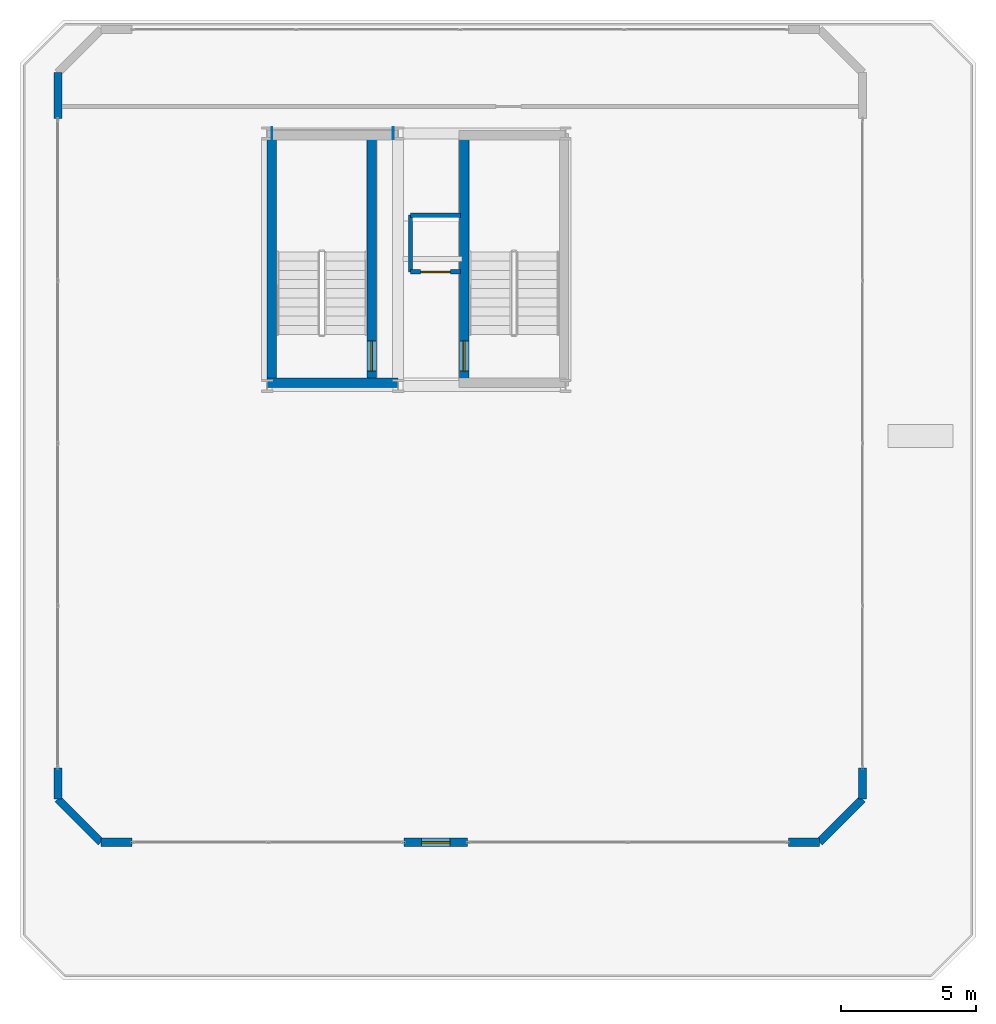
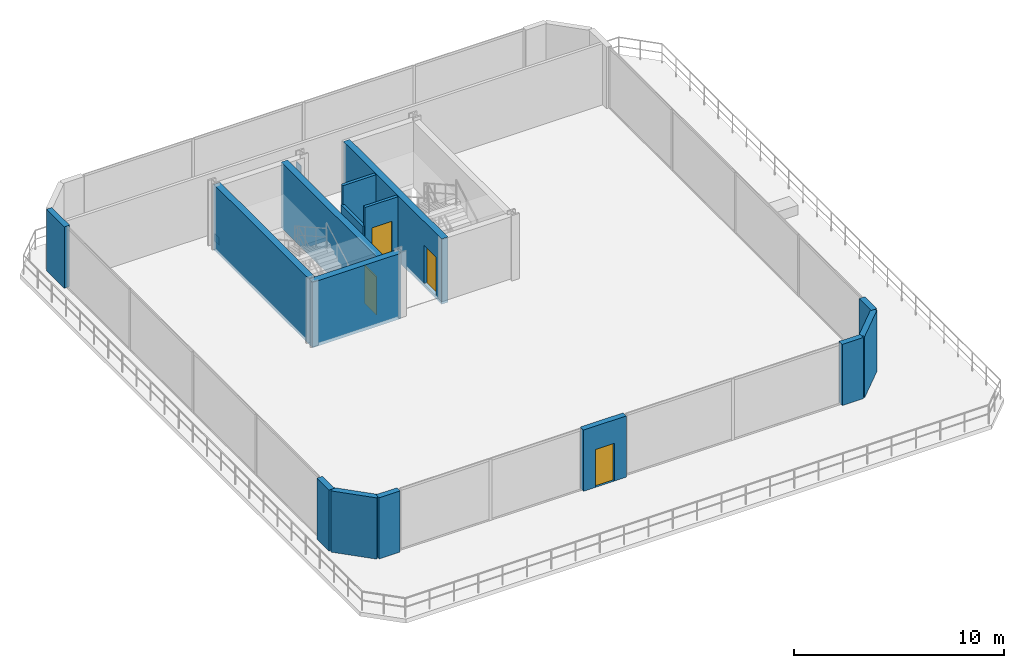
# One storey, part 16 of 19: 15 walls, 4 doors, 2 plates, 4 openings.
"""IFC4 building model written with IfcOpenShell, lengths in metres."""

from ifc_helpers import new_model, si_unit, direction, frame, frame_2d, origin, origin_2d, place, context, subcontext, project, spatial, rectangle, extrude, material, layer, layer_set, type_object, element, fill, save


model = new_model("IFC4")

# Units and contexts
model_context = context("Model", 3, precision=1e-05, world=origin(), true_north=direction((0.0, 1.0)))
body_context = subcontext(model_context, "Body", "Model", "MODEL_VIEW")
ifc_project = project(units=[si_unit("LENGTHUNIT", "METRE"), si_unit("AREAUNIT", "SQUARE_METRE"), si_unit("VOLUMEUNIT", "CUBIC_METRE"), si_unit("PLANEANGLEUNIT", "RADIAN"), si_unit("MASSUNIT", "GRAM", prefix="KILO")], contexts=[model_context])

# Site, building, storey
site_placement = place(None, origin())
site = spatial("IfcSite", under=ifc_project, at=site_placement, CompositionType="ELEMENT")
building_placement = place(site_placement, origin())
building = spatial("IfcBuilding", under=site, at=building_placement, Name="Zuhayl Quay Hotel", CompositionType="ELEMENT")
storey_placement = place(building_placement, frame((0.0, 0.0, 304.85009765625)))
storey = spatial("IfcBuildingStorey", under=building, at=storey_placement, Name="Crown 3", CompositionType="ELEMENT", Elevation=304.85009765625)

# Plates
ifc_material_1 = material(Name="Steel ASTM A572 Grade 50", Category="steel")
ifc_layer_1 = layer(ifc_material_1, 0.030029296875, Name="Steel ASTM A572 Grade 50", Category="steel")
ifc_layer_set_1 = layer_set([ifc_layer_1], Name="Steel ASTM A572 Grade 50")
plate_type = type_object("IfcPlateType", Name="TP_CAP_PLATE_30", PredefinedType="USERDEFINED", material=ifc_layer_set_1)
for number, where, z_axis, x_axis, name in (
    (1, (-9.2705078125, 34.449951171875, 0.1240234375), (0.0, 0.0, 1.0), (-1.0, 0.0, 0.0), "Truss Node Cap Assembly KN2"),
    (2, (-4.779541015625, 34.449951171875, 2.73583984375), (0.0, 0.0, 1.0), (1.0, 0.0, 0.0), "Truss Node Cap Assembly KN2"),
):
    element("IfcPlate", number, at=place(storey_placement, frame(where, z_axis=z_axis, x_axis=x_axis)), inside=storey, type_object=plate_type, Name=name, ObjectType="GUSSET PLATE", PredefinedType="USERDEFINED", context=body_context, shape_type="SweptSolid", body=[
        extrude(rectangle(XDim=0.030029296875, YDim=0.43994140625, at=origin_2d()), origin(), (0.0, 0.0, 1.0), 0.43994140625),
    ])

# Walls
ifc_material_2 = material(Name="Precast concrete C45/55", Category="concrete")
ifc_layer_2 = layer(ifc_material_2, 0.300048828125, Name="Precast concrete C45/55", Category="concrete")
ifc_layer_set_2 = layer_set([ifc_layer_2], Name="Precast concrete C45/55")
wall_type_1 = type_object("IfcWallType", Name="WL_EXT_300", PredefinedType="STANDARD", material=ifc_layer_set_2)
wall_1_placement = place(storey_placement, frame((-17.199951171875, 9.800048828125, 0.0), z_axis=(0.0, 0.0, 1.0), x_axis=(0.0, 1.0, 0.0)))
element("IfcWall", 3, at=wall_1_placement, inside=storey, type_object=wall_type_1, Name="Crown 3 Exterior Precast Wall ENV_CR3_E1_EW1", PredefinedType="STANDARD", context=body_context, shape_type="SweptSolid", body=[
    extrude(rectangle(XDim=1.14990234375, YDim=0.300048828125, at=frame_2d((0.574951171875, 0.0))), origin(), (0.0, 0.0, 1.0), 3.559814453125),
])
wall_2_placement = place(storey_placement, frame((-17.199951171875, 35.0, 0.0), z_axis=(0.0, 0.0, 1.0), x_axis=(0.0, 1.0, 0.0)))
element("IfcWall", 4, at=wall_2_placement, inside=storey, type_object=wall_type_1, Name="Crown 3 Exterior Precast Wall ENV_CR3_E1_EW2", PredefinedType="STANDARD", context=body_context, shape_type="SweptSolid", body=[
    extrude(rectangle(XDim=1.699951171875, YDim=0.300048828125, at=frame_2d((0.85009765625, 0.0))), origin(), (0.0, 0.0, 1.0), 3.559814453125),
])
wall_3_placement = place(storey_placement, frame((12.60009765625, 10.949951171875, 0.0), z_axis=(0.0, 0.0, 1.0), x_axis=(0.0, -1.0, 0.0)))
element("IfcWall", 5, at=wall_3_placement, inside=storey, type_object=wall_type_1, Name="Crown 3 Exterior Precast Wall ENV_CR3_E5_EW2", PredefinedType="STANDARD", context=body_context, shape_type="SweptSolid", body=[
    extrude(rectangle(XDim=1.14990234375, YDim=0.300048828125, at=frame_2d((0.574951171875, 0.0))), origin(), (0.0, 0.0, 1.0), 3.559814453125),
])
wall_4_placement = place(storey_placement, frame((12.60009765625, 9.800048828125, 0.0), z_axis=(0.0, 0.0, 1.0), x_axis=(-0.707106781187, -0.707106781187, 0.0)))
element("IfcWall", 6, at=wall_4_placement, inside=storey, type_object=wall_type_1, Name="Crown 3 Exterior Precast Wall ENV_CR3_EW6", PredefinedType="STANDARD", context=body_context, shape_type="SweptSolid", body=[
    extrude(rectangle(XDim=2.262939453125, YDim=0.300048828125, at=frame_2d((1.13134765625, 0.0))), origin(), (0.0, 0.0, 1.0), 3.559814453125),
])
wall_5_placement = place(storey_placement, frame((11.0, 8.199951171875, 0.0), z_axis=(0.0, 0.0, 1.0), x_axis=(-1.0, 0.0, 0.0)))
element("IfcWall", 7, at=wall_5_placement, inside=storey, type_object=wall_type_1, Name="Crown 3 Exterior Precast Wall ENV_CR3_E7_EW1", PredefinedType="STANDARD", context=body_context, shape_type="SweptSolid", body=[
    extrude(rectangle(XDim=1.14990234375, YDim=0.300048828125, at=frame_2d((0.574951171875, 0.0))), origin(), (0.0, 0.0, 1.0), 3.559814453125),
])

# Wall, opening, door
wall_6_placement = place(storey_placement, frame((-2.02490234375, 8.199951171875, 0.0), z_axis=(0.0, 0.0, 1.0), x_axis=(-1.0, 0.0, 0.0)))
wall_6 = element("IfcWall", 8, at=wall_6_placement, inside=storey, type_object=wall_type_1, Name="Crown 3 Exterior Precast Wall ENV_CR3_E7_EW2", PredefinedType="STANDARD", context=body_context, shape_type="SweptSolid", body=[
    extrude(rectangle(XDim=2.35009765625, YDim=0.300048828125, at=frame_2d((1.175048828125, 0.0))), origin(), (0.0, 0.0, 1.0), 3.559814453125),
])
opening_1_placement = place(wall_6_placement, frame((0.64990234375, 0.0, 0.0)))
opening_1 = element("IfcOpeningElement", 9, at=opening_1_placement, cuts=wall_6, Name="Opening DG1", PredefinedType="OPENING", context=body_context, shape_type="SweptSolid", body=[
    extrude(rectangle(XDim=1.050048828125, YDim=2.199951171875, at=frame_2d((0.52490234375, 1.10009765625))), frame((0.0, 0.159912109375, 0.0), z_axis=(0.0, -1.0, 0.0), x_axis=(1.0, 0.0, 0.0)), (0.0, 0.0, 1.0), 0.320068359375),
])
ifc_material_3 = material(Name="Anodised Aluminium and Dark Solar Glass", Category="aluminium")
door_type_1 = type_object("IfcDoorType", Name="DR_EXT_TERR_1050", OperationType="NOTDEFINED", PredefinedType="DOOR", material=ifc_material_3)
door_1_placement = place(opening_1_placement, origin())
door_1 = element("IfcDoor", 10, at=door_1_placement, inside=storey, type_object=door_type_1, Name="Crown 3 Stepped Crown Terrace Access Door", OperationType="SINGLE_SWING_RIGHT", OverallHeight=2.199951171875, OverallWidth=1.050048828125, PredefinedType="DOOR", context=body_context, shape_type="SweptSolid", body=[
    extrude(rectangle(XDim=1.050048828125, YDim=2.199951171875, at=frame_2d((0.52490234375, 1.10009765625))), frame((0.0, 0.02490234375, 0.0), z_axis=(0.0, -1.0, 0.0), x_axis=(1.0, 0.0, 0.0)), (0.0, 0.0, 1.0), 0.050048828125),
])
fill(opening_1, door_1)

# Walls
wall_7_placement = place(storey_placement, frame((-14.449951171875, 8.199951171875, 0.0), z_axis=(0.0, 0.0, 1.0), x_axis=(-1.0, 0.0, 0.0)))
element("IfcWall", 11, at=wall_7_placement, inside=storey, type_object=wall_type_1, Name="Crown 3 Exterior Precast Wall ENV_CR3_E7_EW3", PredefinedType="STANDARD", context=body_context, shape_type="SweptSolid", body=[
    extrude(rectangle(XDim=1.150146484375, YDim=0.300048828125, at=frame_2d((0.5751953125, 0.0))), origin(), (0.0, 0.0, 1.0), 3.559814453125),
])
wall_8_placement = place(storey_placement, frame((-15.60009765625, 8.199951171875, 0.0), z_axis=(0.0, 0.0, 1.0), x_axis=(-0.707052830339, 0.707160727918, 0.0)))
element("IfcWall", 12, at=wall_8_placement, inside=storey, type_object=wall_type_1, Name="Crown 3 Exterior Precast Wall ENV_CR3_EW8", PredefinedType="STANDARD", context=body_context, shape_type="SweptSolid", body=[
    extrude(rectangle(XDim=2.2626953125, YDim=0.300048828125, at=frame_2d((1.13134765625, 0.0))), origin(), (0.0, 0.0, 1.0), 3.559814453125),
])

# Wall, opening, door
ifc_material_4 = material(Name="Gypsum Fireboard Assembly EI-90")
ifc_layer_3 = layer(ifc_material_4, 0.1650390625, Name="Gypsum Fireboard Assembly EI-90")
ifc_layer_set_3 = layer_set([ifc_layer_3], Name="Gypsum Fireboard Assembly EI-90")
wall_type_2 = type_object("IfcWallType", Name="WL_PART_SHAFT_160", PredefinedType="PARTITIONING", material=ifc_layer_set_3)
wall_9_placement = place(storey_placement, frame((-4.139892578125, 29.320068359375, 0.0), z_axis=(0.0, 0.0, 1.0), x_axis=(1.0, 0.0, 0.0)))
wall_9 = element("IfcWall", 13, at=wall_9_placement, inside=storey, type_object=wall_type_2, Name="Crown 3 Partition IW_CR3_SH_CLF1_F", PredefinedType="PARTITIONING", context=body_context, shape_type="SweptSolid", body=[
    extrude(rectangle(XDim=1.85986328125, YDim=0.1650390625, at=frame_2d((0.929931640625, 0.0))), origin(), (0.0, 0.0, 1.0), 3.559814453125),
])
opening_2_placement = place(wall_9_placement, frame((0.3798828125, 0.0, 0.0)))
opening_2 = element("IfcOpeningElement", 14, at=opening_2_placement, cuts=wall_9, Name="Opening LD1", PredefinedType="OPENING", context=body_context, shape_type="SweptSolid", body=[
    extrude(rectangle(XDim=1.10009765625, YDim=2.25, at=frame_2d((0.550048828125, 1.125))), frame((0.0, 0.092529296875, 0.0), z_axis=(0.0, -1.0, 0.0), x_axis=(1.0, 0.0, 0.0)), (0.0, 0.0, 1.0), 0.18505859375),
])
ifc_material_5 = material(Name="Brushed Stainless Steel", Category="steel")
door_type_2 = type_object("IfcDoorType", Name="DR_LIFT_PASS_1100", OperationType="SLIDING_TO_LEFT", PredefinedType="DOOR", material=ifc_material_5)
door_2_placement = place(opening_2_placement, origin())
door_2 = element("IfcDoor", 15, at=door_2_placement, inside=storey, type_object=door_type_2, Name="Crown 3 Lift CLF1 Sliding Landing Door", OperationType="SLIDING_TO_LEFT", OverallHeight=2.25, OverallWidth=1.10009765625, PredefinedType="DOOR", context=body_context, shape_type="SweptSolid", body=[
    extrude(rectangle(XDim=1.10009765625, YDim=2.25, at=frame_2d((0.550048828125, 1.125))), frame((0.0, 0.02490234375, 0.0), z_axis=(0.0, -1.0, 0.0), x_axis=(1.0, 0.0, 0.0)), (0.0, 0.0, 1.0), 0.050048828125),
])
fill(opening_2, door_2)

# Walls
wall_10_placement = place(storey_placement, frame((-4.139892578125, 29.320068359375, 0.0), z_axis=(0.0, 0.0, 1.0), x_axis=(0.0, 1.0, 0.0)))
element("IfcWall", 16, at=wall_10_placement, inside=storey, type_object=wall_type_2, Name="Crown 3 Partition IW_CR3_SH_CLF1_W", PredefinedType="PARTITIONING", context=body_context, shape_type="SweptSolid", body=[
    extrude(rectangle(XDim=2.099853515625, YDim=0.1650390625, at=frame_2d((1.0498046875, 0.0))), origin(), (0.0, 0.0, 1.0), 2.44189453125),
])
wall_11_placement = place(storey_placement, frame((-4.139892578125, 31.419921875, 0.0), z_axis=(0.0, 0.0, 1.0), x_axis=(1.0, 0.0, 0.0)))
element("IfcWall", 17, at=wall_11_placement, inside=storey, type_object=wall_type_2, Name="Crown 3 Partition IW_CR3_SH_CLF1_N", PredefinedType="PARTITIONING", context=body_context, shape_type="SweptSolid", body=[
    extrude(rectangle(XDim=1.85986328125, YDim=0.1650390625, at=frame_2d((0.929931640625, 0.0))), origin(), (0.0, 0.0, 1.0), 3.559814453125),
])

# Wall, opening, door
ifc_material_6 = material(Name="Concrete C50/60", Category="concrete")
ifc_layer_4 = layer(ifc_material_6, 0.35009765625, Name="Concrete C50/60", Category="concrete")
ifc_layer_set_4 = layer_set([ifc_layer_4], Name="Concrete C50/60")
wall_type_3 = type_object("IfcWallType", Name="WL_STAIR_350", PredefinedType="SHEAR", material=ifc_layer_set_4)
wall_12_placement = place(storey_placement, frame((-5.574951171875, 25.10009765625, -0.190185546875), z_axis=(0.0, 0.0, 1.0), x_axis=(0.0, 1.0, 0.0)))
wall_12 = element("IfcWall", 18, at=wall_12_placement, inside=storey, type_object=wall_type_3, Name="Crown 3 Crown Stair Shear Wall SW_ST5_E", PredefinedType="SHEAR", context=body_context, shape_type="SweptSolid", body=[
    extrude(rectangle(XDim=9.349853515625, YDim=0.35009765625, at=frame_2d((4.6748046875, 0.0))), origin(), (0.0, 0.0, 1.0), 3.800048828125),
])
opening_3_placement = place(wall_12_placement, frame((0.550048828125, 0.0, 0.18994140625)))
opening_3 = element("IfcOpeningElement", 19, at=opening_3_placement, cuts=wall_12, Name="Opening D01", PredefinedType="OPENING", context=body_context, shape_type="SweptSolid", body=[
    extrude(rectangle(XDim=1.1201171875, YDim=2.219970703125, at=frame_2d((0.56005859375, 1.10986328125))), frame((0.0, 0.18505859375, 0.0), z_axis=(0.0, -1.0, 0.0), x_axis=(1.0, 0.0, 0.0)), (0.0, 0.0, 1.0), 0.3701171875),
])
ifc_material_7 = material(Name="Steel ASTM A992 Grade 50", Category="steel")
door_type_3 = type_object("IfcDoorType", Name="DR_STAIR_90_1100", OperationType="NOTDEFINED", PredefinedType="DOOR", material=ifc_material_7)
door_3_placement = place(opening_3_placement, origin())
door_3 = element("IfcDoor", 20, at=door_3_placement, inside=storey, type_object=door_type_3, Name="Crown 3 Crown Exit Stair ST5 Door", OperationType="SINGLE_SWING_RIGHT", OverallHeight=2.219970703125, OverallWidth=1.1201171875, PredefinedType="DOOR", context=body_context, shape_type="SweptSolid", body=[
    extrude(rectangle(XDim=1.1201171875, YDim=2.219970703125, at=frame_2d((0.56005859375, 1.10986328125))), frame((0.0, 0.02490234375, 0.0), z_axis=(0.0, -1.0, 0.0), x_axis=(1.0, 0.0, 0.0)), (0.0, 0.0, 1.0), 0.050048828125),
])
fill(opening_3, door_3)

# Walls
wall_13_placement = place(storey_placement, frame((-9.280029296875, 34.449951171875, -0.190185546875), z_axis=(0.0, 0.0, 1.0), x_axis=(0.0, -1.0, 0.0)))
element("IfcWall", 21, at=wall_13_placement, inside=storey, type_object=wall_type_3, Name="Crown 3 Crown Stair Shear Wall SW_ST5_W", PredefinedType="SHEAR", context=body_context, shape_type="SweptSolid", body=[
    extrude(rectangle(XDim=9.349853515625, YDim=0.35009765625, at=frame_2d((4.6748046875, 0.0))), origin(), (0.0, 0.0, 1.0), 3.800048828125),
])
wall_14_placement = place(storey_placement, frame((-9.449951171875, 25.219970703125, -0.190185546875), z_axis=(0.0, 0.0, 1.0), x_axis=(1.0, 0.0, 0.0)))
element("IfcWall", 22, at=wall_14_placement, inside=storey, type_object=wall_type_3, Name="Crown 3 Crown Stair Shear Wall SW_ST5_S", PredefinedType="SHEAR", context=body_context, shape_type="SweptSolid", body=[
    extrude(rectangle(XDim=4.849853515625, YDim=0.35009765625, at=frame_2d((2.4248046875, 0.0))), origin(), (0.0, 0.0, 1.0), 3.800048828125),
])

# Wall, opening, door
wall_15_placement = place(storey_placement, frame((-2.155029296875, 34.449951171875, -0.190185546875), z_axis=(0.0, 0.0, 1.0), x_axis=(0.0, -1.0, 0.0)))
wall_15 = element("IfcWall", 23, at=wall_15_placement, inside=storey, type_object=wall_type_3, Name="Crown 3 Crown Stair Shear Wall SW_ST6_W", PredefinedType="SHEAR", context=body_context, shape_type="SweptSolid", body=[
    extrude(rectangle(XDim=9.349853515625, YDim=0.35009765625, at=frame_2d((4.6748046875, 0.0))), origin(), (0.0, 0.0, 1.0), 3.800048828125),
])
opening_4_placement = place(wall_15_placement, frame((7.679931640625, 0.0, 0.18994140625)))
opening_4 = element("IfcOpeningElement", 24, at=opening_4_placement, cuts=wall_15, Name="Opening D01", PredefinedType="OPENING", context=body_context, shape_type="SweptSolid", body=[
    extrude(rectangle(XDim=1.1201171875, YDim=2.219970703125, at=frame_2d((0.56005859375, 1.10986328125))), frame((0.0, 0.18505859375, 0.0), z_axis=(0.0, -1.0, 0.0), x_axis=(1.0, 0.0, 0.0)), (0.0, 0.0, 1.0), 0.3701171875),
])
door_4_placement = place(opening_4_placement, origin())
door_4 = element("IfcDoor", 25, at=door_4_placement, inside=storey, type_object=door_type_3, Name="Crown 3 Crown Exit Stair ST6 Door", OperationType="SINGLE_SWING_LEFT", OverallHeight=2.219970703125, OverallWidth=1.1201171875, PredefinedType="DOOR", context=body_context, shape_type="SweptSolid", body=[
    extrude(rectangle(XDim=1.1201171875, YDim=2.219970703125, at=frame_2d((0.56005859375, 1.10986328125))), frame((0.0, 0.02490234375, 0.0), z_axis=(0.0, -1.0, 0.0), x_axis=(1.0, 0.0, 0.0)), (0.0, 0.0, 1.0), 0.050048828125),
])
fill(opening_4, door_4)

save(model, "model.ifc")
